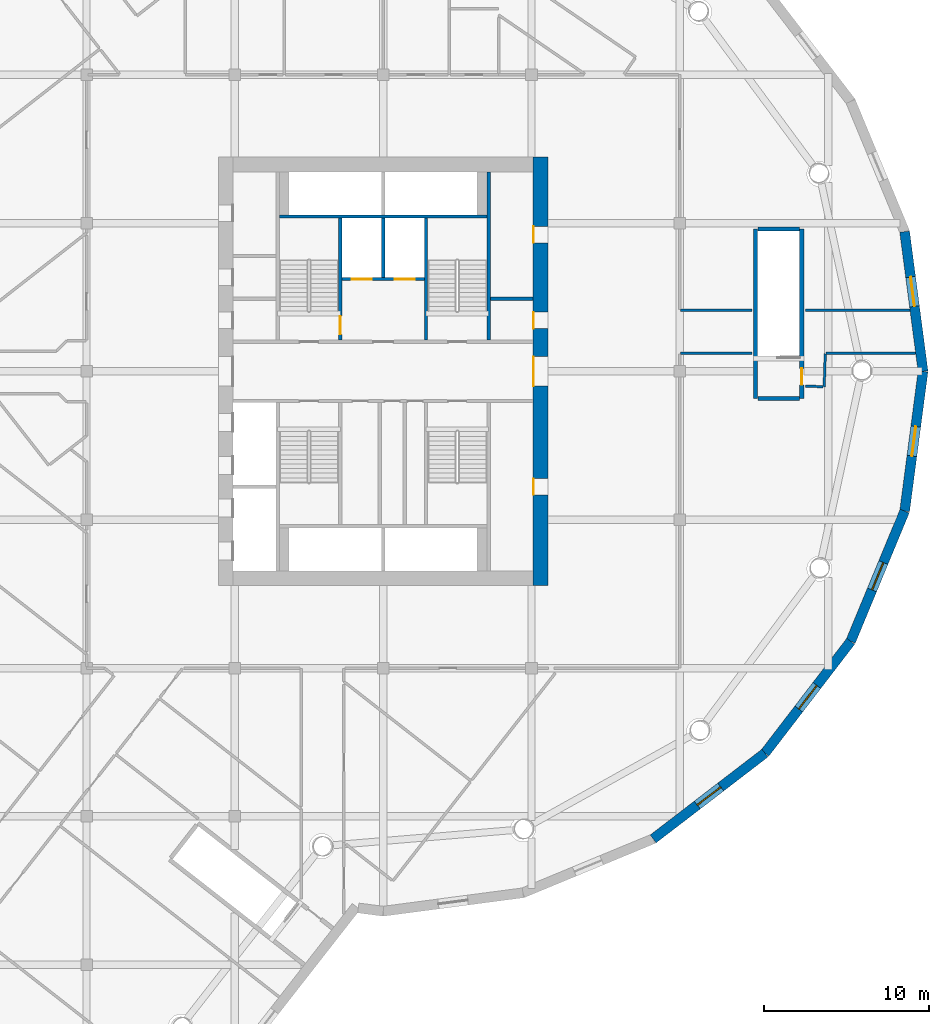
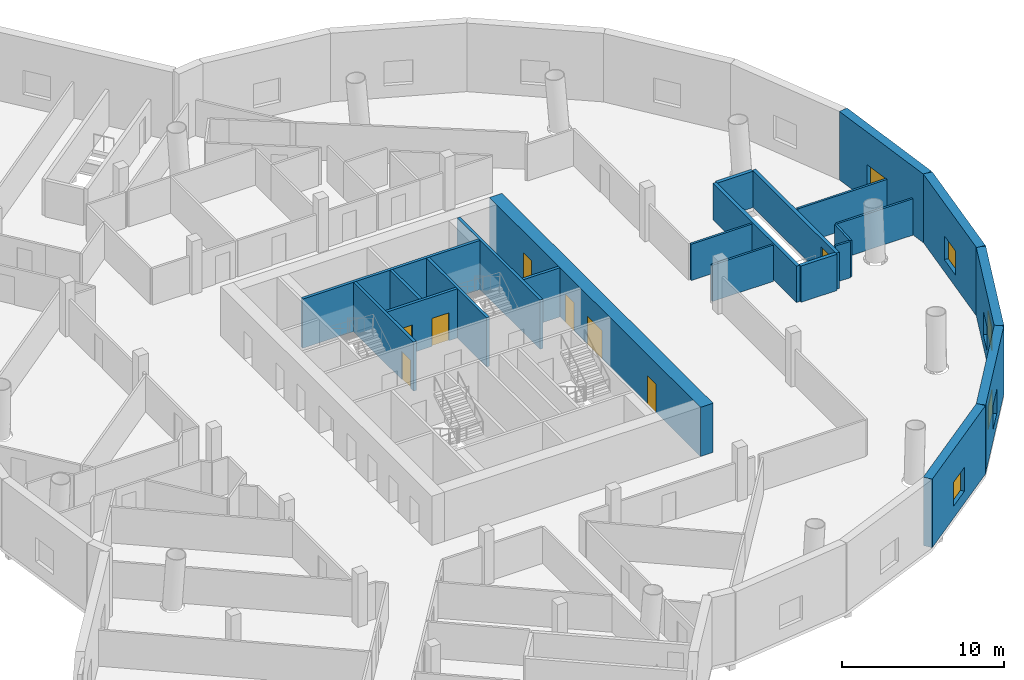
# One storey, part 8 of 15: 23 walls, 8 doors, 5 windows, 13 openings.
"""IFC4 building model written with IfcOpenShell, lengths in metres."""

from ifc_helpers import new_model, si_unit, direction, frame, frame_2d, origin, place, context, subcontext, project, spatial, rectangle, extrude, material, layer, layer_set, type_object, element, fill, save


model = new_model("IFC4")

# Units and contexts
model_context = context("Model", 3, precision=1e-05, world=origin(), true_north=direction((0.0, 1.0)))
body_context = subcontext(model_context, "Body", "Model", "MODEL_VIEW")
ifc_project = project(units=[si_unit("LENGTHUNIT", "METRE"), si_unit("AREAUNIT", "SQUARE_METRE"), si_unit("VOLUMEUNIT", "CUBIC_METRE"), si_unit("PLANEANGLEUNIT", "RADIAN"), si_unit("MASSUNIT", "GRAM", prefix="KILO")], contexts=[model_context])

# Site, building, storey
site_placement = place(None, origin())
site = spatial("IfcSite", under=ifc_project, at=site_placement, CompositionType="ELEMENT")
building_placement = place(site_placement, origin())
building = spatial("IfcBuilding", under=site, at=building_placement, Name="Tarsis Ring Headquarters", CompositionType="ELEMENT")
storey_placement = place(building_placement, frame((0.0, 0.0, 30.0)))
storey = spatial("IfcBuildingStorey", under=building, at=storey_placement, Name="L05", CompositionType="ELEMENT", Elevation=30.0)

# Wall
ifc_material_1 = material(Name="Blockwork", Category="masonry")
ifc_layer_1 = layer(ifc_material_1, 0.199951171875)
ifc_layer_set_1 = layer_set([ifc_layer_1], Name="Core blockwork wall 200")
wall_type_1 = type_object("IfcWallType", Name="Core blockwork wall 200", PredefinedType="PARTITIONING", material=ifc_layer_set_1)
wall_1_placement = place(storey_placement, frame((6.5, 4.39990234375, 0.0), z_axis=(0.0, 0.0, 1.0), x_axis=(1.0, 0.0, 0.0)))
element("IfcWall", 1, at=wall_1_placement, inside=storey, type_object=wall_type_1, Name="Core partition ED5", PredefinedType="PARTITIONING", context=body_context, shape_type="SweptSolid", body=[
    extrude(rectangle(XDim=2.60009765625, YDim=0.199951171875, at=frame_2d((1.300048828125, 0.0))), origin(), (0.0, 0.0, 1.0), 3.699951171875),
])

# Wall, openings, doors
ifc_material_2 = material(Name="Concrete C60/75", Category="concrete")
ifc_layer_2 = layer(ifc_material_2, 0.89990234375)
ifc_layer_set_2 = layer_set([ifc_layer_2], Name="Core wall 900 C60/75")
wall_type_2 = type_object("IfcWallType", Name="Core wall 900 C60/75", PredefinedType="SHEAR", material=ifc_layer_set_2)
wall_2_placement = place(storey_placement, frame((9.550048828125, -13.0, 0.0), z_axis=(0.0, 0.0, 1.0), x_axis=(0.0, 1.0, 0.0)))
wall_2 = element("IfcWall", 2, at=wall_2_placement, inside=storey, type_object=wall_type_2, Name="Core wall OE", PredefinedType="SHEAR", context=body_context, shape_type="SweptSolid", body=[
    extrude(rectangle(XDim=26.0, YDim=0.89990234375, at=frame_2d((13.0, 0.0))), origin(), (0.0, 0.0, 1.0), 3.699951171875),
])
opening_1_placement = place(wall_2_placement, frame((5.5, 0.0, 0.0)))
opening_1 = element("IfcOpeningElement", 3, at=opening_1_placement, cuts=wall_2, Name="Opening L05-C09", PredefinedType="OPENING", context=body_context, shape_type="SweptSolid", body=[
    extrude(rectangle(XDim=1.0, YDim=2.10009765625, at=frame_2d((0.5, 1.050048828125))), frame((0.0, 0.4599609375, 0.0), z_axis=(0.0, -1.0, 0.0), x_axis=(1.0, 0.0, 0.0)), (0.0, 0.0, 1.0), 0.919921875),
])
opening_2_placement = place(wall_2_placement, frame((12.10009765625, 0.0, 0.0)))
opening_2 = element("IfcOpeningElement", 4, at=opening_2_placement, cuts=wall_2, Name="Opening L05-C10", PredefinedType="OPENING", context=body_context, shape_type="SweptSolid", body=[
    extrude(rectangle(XDim=1.800048828125, YDim=2.10009765625, at=frame_2d((0.89990234375, 1.050048828125))), frame((0.0, 0.4599609375, 0.0), z_axis=(0.0, -1.0, 0.0), x_axis=(1.0, 0.0, 0.0)), (0.0, 0.0, 1.0), 0.919921875),
])
opening_3_placement = place(wall_2_placement, frame((15.60009765625, 0.0, 0.0)))
opening_3 = element("IfcOpeningElement", 5, at=opening_3_placement, cuts=wall_2, Name="Opening L05-C11", PredefinedType="OPENING", context=body_context, shape_type="SweptSolid", body=[
    extrude(rectangle(XDim=1.0, YDim=2.10009765625, at=frame_2d((0.5, 1.050048828125))), frame((0.0, 0.4599609375, 0.0), z_axis=(0.0, -1.0, 0.0), x_axis=(1.0, 0.0, 0.0)), (0.0, 0.0, 1.0), 0.919921875),
])
opening_4_placement = place(wall_2_placement, frame((20.800048828125, 0.0, 0.0)))
opening_4 = element("IfcOpeningElement", 6, at=opening_4_placement, cuts=wall_2, Name="Opening L05-C12", PredefinedType="OPENING", context=body_context, shape_type="SweptSolid", body=[
    extrude(rectangle(XDim=1.0, YDim=2.10009765625, at=frame_2d((0.5, 1.050048828125))), frame((0.0, 0.4599609375, 0.0), z_axis=(0.0, -1.0, 0.0), x_axis=(1.0, 0.0, 0.0)), (0.0, 0.0, 1.0), 0.919921875),
])
ifc_material_3 = material(Name="Steel S355", Category="steel")
door_type_1 = type_object("IfcDoorType", Name="Core entry door 1800x2100", OperationType="DOUBLE_DOOR_SINGLE_SWING", PredefinedType="DOOR", material=ifc_material_3)
door_1_placement = place(opening_2_placement, origin())
door_1 = element("IfcDoor", 7, at=door_1_placement, inside=storey, type_object=door_type_1, Name="Core entry door L05", OperationType="DOUBLE_DOOR_SINGLE_SWING", OverallHeight=2.10009765625, OverallWidth=1.800048828125, PredefinedType="DOOR", context=body_context, shape_type="SweptSolid", body=[
    extrude(rectangle(XDim=1.800048828125, YDim=2.10009765625, at=frame_2d((0.89990234375, 1.050048828125))), frame((0.0, 0.4501953125, 0.0), z_axis=(0.0, -1.0, 0.0), x_axis=(1.0, 0.0, 0.0)), (0.0, 0.0, 1.0), 0.050048828125),
])
fill(opening_2, door_1)
door_type_2 = type_object("IfcDoorType", Name="Core room door 1000x2100", OperationType="SINGLE_SWING_LEFT", PredefinedType="DOOR", material=ifc_material_3)
door_2_placement = place(opening_1_placement, origin())
door_2 = element("IfcDoor", 8, at=door_2_placement, inside=storey, type_object=door_type_2, Name="Core room door L05", OperationType="SINGLE_SWING_LEFT", OverallHeight=2.10009765625, OverallWidth=1.0, PredefinedType="DOOR", context=body_context, shape_type="SweptSolid", body=[
    extrude(rectangle(XDim=1.0, YDim=2.10009765625, at=frame_2d((0.5, 1.050048828125))), frame((0.0, 0.4501953125, 0.0), z_axis=(0.0, -1.0, 0.0), x_axis=(1.0, 0.0, 0.0)), (0.0, 0.0, 1.0), 0.050048828125),
])
fill(opening_1, door_2)
door_3_placement = place(opening_3_placement, origin())
door_3 = element("IfcDoor", 9, at=door_3_placement, inside=storey, type_object=door_type_2, Name="Core room door L05", OperationType="SINGLE_SWING_LEFT", OverallHeight=2.10009765625, OverallWidth=1.0, PredefinedType="DOOR", context=body_context, shape_type="SweptSolid", body=[
    extrude(rectangle(XDim=1.0, YDim=2.10009765625, at=frame_2d((0.5, 1.050048828125))), frame((0.0, 0.4501953125, 0.0), z_axis=(0.0, -1.0, 0.0), x_axis=(1.0, 0.0, 0.0)), (0.0, 0.0, 1.0), 0.050048828125),
])
fill(opening_3, door_3)
door_4_placement = place(opening_4_placement, origin())
door_4 = element("IfcDoor", 10, at=door_4_placement, inside=storey, type_object=door_type_2, Name="Core room door L05", OperationType="SINGLE_SWING_LEFT", OverallHeight=2.10009765625, OverallWidth=1.0, PredefinedType="DOOR", context=body_context, shape_type="SweptSolid", body=[
    extrude(rectangle(XDim=1.0, YDim=2.10009765625, at=frame_2d((0.5, 1.050048828125))), frame((0.0, 0.4501953125, 0.0), z_axis=(0.0, -1.0, 0.0), x_axis=(1.0, 0.0, 0.0)), (0.0, 0.0, 1.0), 0.050048828125),
])
fill(opening_4, door_4)

# Walls
ifc_material_4 = material(Name="Plasterboard partition")
ifc_layer_3 = layer(ifc_material_4, 0.14990234375)
ifc_layer_set_3 = layer_set([ifc_layer_3], Name="PO-PW150R-2733")
wall_type_3 = type_object("IfcWallType", Name="PO-PW150R-2733", PredefinedType="PARTITIONING", material=ifc_layer_set_3)
wall_3_placement = place(storey_placement, frame((25.625, 3.7099609375, 0.0), z_axis=(0.0, 0.0, 1.0), x_axis=(1.0, 0.0, 0.0)))
element("IfcWall", 11, at=wall_3_placement, inside=storey, type_object=wall_type_3, Name="L05 partition wall 58", PredefinedType="PARTITIONING", context=body_context, shape_type="SweptSolid", body=[
    extrude(rectangle(XDim=6.341796875, YDim=0.14990234375, at=frame_2d((3.1708984375, 0.0))), origin(), (0.0, 0.0, 1.0), 2.73291015625),
])
wall_4_placement = place(storey_placement, frame((32.30908203125, 1.110107421875, 0.0), z_axis=(0.0, 0.0, 1.0), x_axis=(-1.0, 0.0, 0.0)))
element("IfcWall", 12, at=wall_4_placement, inside=storey, type_object=wall_type_3, Name="L05 partition wall 68", PredefinedType="PARTITIONING", context=body_context, shape_type="SweptSolid", body=[
    extrude(rectangle(XDim=5.442626953125, YDim=0.14990234375, at=frame_2d((2.72119140625, 0.0))), origin(), (0.0, 0.0, 1.0), 2.73291015625),
])
for number, where, z_axis, x_axis, name in (
    (13, (18.0400390625, 3.7099609375, 0.0), (0.0, 0.0, 1.0), (1.0, 0.0, 0.0), "L05 partition wall 77"),
    (14, (22.375, 1.110107421875, 0.0), (0.0, 0.0, 1.0), (-1.0, 0.0, 0.0), "L05 partition wall 78"),
):
    element("IfcWall", number, at=place(storey_placement, frame(where, z_axis=z_axis, x_axis=x_axis)), inside=storey, type_object=wall_type_3, Name=name, PredefinedType="PARTITIONING", context=body_context, shape_type="SweptSolid", body=[
        extrude(rectangle(XDim=4.3349609375, YDim=0.14990234375, at=frame_2d((2.16748046875, 0.0))), origin(), (0.0, 0.0, 1.0), 2.73291015625),
    ])
wall_5_placement = place(storey_placement, frame((26.824462890625, 1.070068359375, 0.0), z_axis=(0.0, 0.0, 1.0), x_axis=(-0.032904986071, -0.999458484326, 0.0)))
element("IfcWall", 15, at=wall_5_placement, inside=storey, type_object=wall_type_3, Name="L05 partition wall 139", PredefinedType="PARTITIONING", context=body_context, shape_type="SweptSolid", body=[
    extrude(rectangle(XDim=2.003173828125, YDim=0.14990234375, at=frame_2d((1.00146484375, 0.0))), origin(), (0.0, 0.0, 1.0), 2.73291015625),
])
wall_6_placement = place(storey_placement, frame((26.6787109375, -0.929443359375, 0.0), z_axis=(0.0, 0.0, 1.0), x_axis=(-0.99945920656, 0.03288304155, 0.0)))
element("IfcWall", 16, at=wall_6_placement, inside=storey, type_object=wall_type_3, Name="L05 partition wall 168", PredefinedType="PARTITIONING", context=body_context, shape_type="SweptSolid", body=[
    extrude(rectangle(XDim=1.05419921875, YDim=0.14990234375, at=frame_2d((0.527099609375, 0.0))), origin(), (0.0, 0.0, 1.0), 2.73291015625),
])
ifc_material_5 = material(Name="Concrete C40/50", Category="concrete")
ifc_layer_4 = layer(ifc_material_5, 0.25)
ifc_layer_set_4 = layer_set([ifc_layer_4], Name="PO-W250")
wall_type_4 = type_object("IfcWallType", Name="PO-W250", PredefinedType="SOLIDWALL", material=ifc_layer_set_4)
wall_7_placement = place(storey_placement, frame((22.60009765625, -1.64501953125, 0.0), z_axis=(0.0, 0.0, 1.0), x_axis=(0.0, 1.0, 0.0)))
element("IfcWall", 17, at=wall_7_placement, inside=storey, type_object=wall_type_4, Name="L05 shaft wall 30", PredefinedType="SOLIDWALL", context=body_context, shape_type="SweptSolid", body=[
    extrude(rectangle(XDim=10.2900390625, YDim=0.25, at=frame_2d((5.14501953125, 0.0))), origin(), (0.0, 0.0, 1.0), 2.72998046875),
])

# Wall, opening, door
wall_8_placement = place(storey_placement, frame((25.39990234375, 8.64501953125, 0.0), z_axis=(0.0, 0.0, 1.0), x_axis=(0.0, -1.0, 0.0)))
wall_8 = element("IfcWall", 18, at=wall_8_placement, inside=storey, type_object=wall_type_4, Name="L05 shaft wall 31", PredefinedType="SOLIDWALL", context=body_context, shape_type="SweptSolid", body=[
    extrude(rectangle(XDim=10.2900390625, YDim=0.25, at=frame_2d((5.14501953125, 0.0))), origin(), (0.0, 0.0, 1.0), 2.72998046875),
])
opening_5_placement = place(wall_8_placement, frame((8.465087890625, 0.0, 0.0)))
opening_5 = element("IfcOpeningElement", 19, at=opening_5_placement, cuts=wall_8, Name="Opening PO-D3", PredefinedType="OPENING", context=body_context, shape_type="SweptSolid", body=[
    extrude(rectangle(XDim=1.0, YDim=2.10009765625, at=frame_2d((0.5, 1.050048828125))), frame((0.0, 0.135009765625, 0.0), z_axis=(0.0, -1.0, 0.0), x_axis=(1.0, 0.0, 0.0)), (0.0, 0.0, 1.0), 0.27001953125),
])
ifc_material_6 = material(Name="Steel fire door", Category="steel")
door_type_3 = type_object("IfcDoorType", Name="PO-D1000F", OperationType="SINGLE_SWING_LEFT", PredefinedType="DOOR", material=ifc_material_6)
door_5_placement = place(opening_5_placement, origin())
door_5 = element("IfcDoor", 20, at=door_5_placement, inside=storey, type_object=door_type_3, Name="Exit stair 1 door", OperationType="SINGLE_SWING_LEFT", OverallHeight=2.10009765625, OverallWidth=1.0, PredefinedType="DOOR", context=body_context, shape_type="SweptSolid", body=[
    extrude(rectangle(XDim=1.0, YDim=2.10009765625, at=frame_2d((0.5, 1.050048828125))), frame((0.0, 0.02490234375, 0.0), z_axis=(0.0, -1.0, 0.0), x_axis=(1.0, 0.0, 0.0)), (0.0, 0.0, 1.0), 0.050048828125),
])
fill(opening_5, door_5)

# Walls
for number, where, z_axis, x_axis, name in (
    (21, (25.27001953125, -1.64501953125, 0.0), (0.0, 0.0, 1.0), (-1.0, 0.0, 0.0), "L05 shaft wall 108"),
    (22, (22.72998046875, 8.64501953125, 0.0), (0.0, 0.0, 1.0), (1.0, 0.0, 0.0), "L05 shaft wall 109"),
):
    element("IfcWall", number, at=place(storey_placement, frame(where, z_axis=z_axis, x_axis=x_axis)), inside=storey, type_object=wall_type_4, Name=name, PredefinedType="SOLIDWALL", context=body_context, shape_type="SweptSolid", body=[
        extrude(rectangle(XDim=2.5400390625, YDim=0.25, at=frame_2d((1.27001953125, 0.0))), origin(), (0.0, 0.0, 1.0), 2.72998046875),
    ])

# Wall, opening, window
ifc_layer_5 = layer(ifc_material_2, 0.60009765625)
ifc_layer_set_5 = layer_set([ifc_layer_5], Name="PO-W600P")
wall_type_5 = type_object("IfcWallType", Name="PO-W600P", PredefinedType="SOLIDWALL", material=ifc_layer_set_5)
wall_9_placement = place(storey_placement, frame((16.37890625, -28.369140625, 0.0), z_axis=(0.0, 0.0, 1.0), x_axis=(0.793356782778, 0.608756942646, 0.0)))
wall_9 = element("IfcWall", 23, at=wall_9_placement, inside=storey, type_object=wall_type_5, Name="L05 external wall 12", PredefinedType="SOLIDWALL", context=body_context, shape_type="SweptSolid", body=[
    extrude(rectangle(XDim=8.551513671875, YDim=0.60009765625, at=frame_2d((4.27587890625, 0.0))), origin(), (0.0, 0.0, 1.0), 5.14990234375),
])
opening_6_placement = place(wall_9_placement, frame((3.375732421875, 0.0, 0.89990234375)))
opening_6 = element("IfcOpeningElement", 24, at=opening_6_placement, cuts=wall_9, Name="Opening PO-WN147", PredefinedType="OPENING", context=body_context, shape_type="SweptSolid", body=[
    extrude(rectangle(XDim=1.800048828125, YDim=1.802978515625, at=frame_2d((0.89990234375, 0.9013671875))), frame((0.0, 0.31005859375, 0.0), z_axis=(0.0, -1.0, 0.0), x_axis=(1.0, 0.0, 0.0)), (0.0, 0.0, 1.0), 0.6201171875),
])
ifc_material_7 = material(Name="Double glazing", Category="glass")
window_type = type_object("IfcWindowType", Name="PO-WN1800-1803", PartitioningType="SINGLE_PANEL", PredefinedType="WINDOW", material=ifc_material_7)
window_1_placement = place(opening_6_placement, origin())
window_1 = element("IfcWindow", 25, at=window_1_placement, inside=storey, type_object=window_type, Name="L05 window 12.1", OverallHeight=1.802978515625, OverallWidth=1.800048828125, PartitioningType="SINGLE_PANEL", PredefinedType="WINDOW", context=body_context, shape_type="SweptSolid", body=[
    extrude(rectangle(XDim=1.800048828125, YDim=1.802978515625, at=frame_2d((0.89990234375, 0.9013671875))), frame((0.0, 0.030029296875, 0.0), z_axis=(0.0, -1.0, 0.0), x_axis=(1.0, 0.0, 0.0)), (0.0, 0.0, 1.0), 0.06005859375),
])
fill(opening_6, window_1)

wall_10_placement = place(storey_placement, frame((23.163330078125, -23.163330078125, 0.0), z_axis=(0.0, 0.0, 1.0), x_axis=(0.608756942646, 0.793356782778, 0.0)))
wall_10 = element("IfcWall", 26, at=wall_10_placement, inside=storey, type_object=wall_type_5, Name="L05 external wall 13", PredefinedType="SOLIDWALL", context=body_context, shape_type="SweptSolid", body=[
    extrude(rectangle(XDim=8.551513671875, YDim=0.60009765625, at=frame_2d((4.27587890625, 0.0))), origin(), (0.0, 0.0, 1.0), 5.14990234375),
])
opening_7_placement = place(wall_10_placement, frame((3.375732421875, 0.0, 0.89990234375)))
opening_7 = element("IfcOpeningElement", 27, at=opening_7_placement, cuts=wall_10, Name="Opening PO-WN147", PredefinedType="OPENING", context=body_context, shape_type="SweptSolid", body=[
    extrude(rectangle(XDim=1.800048828125, YDim=1.802978515625, at=frame_2d((0.89990234375, 0.9013671875))), frame((0.0, 0.31005859375, 0.0), z_axis=(0.0, -1.0, 0.0), x_axis=(1.0, 0.0, 0.0)), (0.0, 0.0, 1.0), 0.6201171875),
])
window_2_placement = place(opening_7_placement, origin())
window_2 = element("IfcWindow", 28, at=window_2_placement, inside=storey, type_object=window_type, Name="L05 window 13.1", OverallHeight=1.802978515625, OverallWidth=1.800048828125, PartitioningType="SINGLE_PANEL", PredefinedType="WINDOW", context=body_context, shape_type="SweptSolid", body=[
    extrude(rectangle(XDim=1.800048828125, YDim=1.802978515625, at=frame_2d((0.89990234375, 0.9013671875))), frame((0.0, 0.030029296875, 0.0), z_axis=(0.0, -1.0, 0.0), x_axis=(1.0, 0.0, 0.0)), (0.0, 0.0, 1.0), 0.06005859375),
])
fill(opening_7, window_2)

wall_11_placement = place(storey_placement, frame((28.369140625, -16.37890625, 0.0), z_axis=(0.0, 0.0, 1.0), x_axis=(0.382674535665, 0.923883217595, 0.0)))
wall_11 = element("IfcWall", 29, at=wall_11_placement, inside=storey, type_object=wall_type_5, Name="L05 external wall 14", PredefinedType="SOLIDWALL", context=body_context, shape_type="SweptSolid", body=[
    extrude(rectangle(XDim=8.551513671875, YDim=0.60009765625, at=frame_2d((4.27587890625, 0.0))), origin(), (0.0, 0.0, 1.0), 5.14990234375),
])
opening_8_placement = place(wall_11_placement, frame((3.375732421875, 0.0, 0.89990234375)))
opening_8 = element("IfcOpeningElement", 30, at=opening_8_placement, cuts=wall_11, Name="Opening PO-WN147", PredefinedType="OPENING", context=body_context, shape_type="SweptSolid", body=[
    extrude(rectangle(XDim=1.800048828125, YDim=1.802978515625, at=frame_2d((0.89990234375, 0.9013671875))), frame((0.0, 0.31005859375, 0.0), z_axis=(0.0, -1.0, 0.0), x_axis=(1.0, 0.0, 0.0)), (0.0, 0.0, 1.0), 0.6201171875),
])
window_3_placement = place(opening_8_placement, origin())
window_3 = element("IfcWindow", 31, at=window_3_placement, inside=storey, type_object=window_type, Name="L05 window 14.1", OverallHeight=1.802978515625, OverallWidth=1.800048828125, PartitioningType="SINGLE_PANEL", PredefinedType="WINDOW", context=body_context, shape_type="SweptSolid", body=[
    extrude(rectangle(XDim=1.800048828125, YDim=1.802978515625, at=frame_2d((0.89990234375, 0.9013671875))), frame((0.0, 0.030029296875, 0.0), z_axis=(0.0, -1.0, 0.0), x_axis=(1.0, 0.0, 0.0)), (0.0, 0.0, 1.0), 0.06005859375),
])
fill(opening_8, window_3)

wall_12_placement = place(storey_placement, frame((31.6416015625, -8.478271484375, 0.0), z_axis=(0.0, 0.0, 1.0), x_axis=(0.130529102837, 0.991444478179, 0.0)))
wall_12 = element("IfcWall", 32, at=wall_12_placement, inside=storey, type_object=wall_type_5, Name="L05 external wall 15", PredefinedType="SOLIDWALL", context=body_context, shape_type="SweptSolid", body=[
    extrude(rectangle(XDim=8.551513671875, YDim=0.60009765625, at=frame_2d((4.27587890625, 0.0))), origin(), (0.0, 0.0, 1.0), 5.14990234375),
])
opening_9_placement = place(wall_12_placement, frame((3.375732421875, 0.0, 0.89990234375)))
opening_9 = element("IfcOpeningElement", 33, at=opening_9_placement, cuts=wall_12, Name="Opening PO-WN147", PredefinedType="OPENING", context=body_context, shape_type="SweptSolid", body=[
    extrude(rectangle(XDim=1.800048828125, YDim=1.802978515625, at=frame_2d((0.89990234375, 0.9013671875))), frame((0.0, 0.31005859375, 0.0), z_axis=(0.0, -1.0, 0.0), x_axis=(1.0, 0.0, 0.0)), (0.0, 0.0, 1.0), 0.6201171875),
])
window_4_placement = place(opening_9_placement, origin())
window_4 = element("IfcWindow", 34, at=window_4_placement, inside=storey, type_object=window_type, Name="L05 window 15.1", OverallHeight=1.802978515625, OverallWidth=1.800048828125, PartitioningType="SINGLE_PANEL", PredefinedType="WINDOW", context=body_context, shape_type="SweptSolid", body=[
    extrude(rectangle(XDim=1.800048828125, YDim=1.802978515625, at=frame_2d((0.89990234375, 0.9013671875))), frame((0.0, 0.030029296875, 0.0), z_axis=(0.0, -1.0, 0.0), x_axis=(1.0, 0.0, 0.0)), (0.0, 0.0, 1.0), 0.06005859375),
])
fill(opening_9, window_4)

wall_13_placement = place(storey_placement, frame((32.7578125, 0.0, 0.0), z_axis=(0.0, 0.0, 1.0), x_axis=(-0.130529102837, 0.991444478179, 0.0)))
wall_13 = element("IfcWall", 35, at=wall_13_placement, inside=storey, type_object=wall_type_5, Name="L05 external wall 16", PredefinedType="SOLIDWALL", context=body_context, shape_type="SweptSolid", body=[
    extrude(rectangle(XDim=8.551513671875, YDim=0.60009765625, at=frame_2d((4.27587890625, 0.0))), origin(), (0.0, 0.0, 1.0), 5.14990234375),
])
opening_10_placement = place(wall_13_placement, frame((3.975830078125, 0.0, 0.89990234375)))
opening_10 = element("IfcOpeningElement", 36, at=opening_10_placement, cuts=wall_13, Name="Opening PO-WN147", PredefinedType="OPENING", context=body_context, shape_type="SweptSolid", body=[
    extrude(rectangle(XDim=1.800048828125, YDim=1.802978515625, at=frame_2d((0.89990234375, 0.9013671875))), frame((0.0, 0.31005859375, 0.0), z_axis=(0.0, -1.0, 0.0), x_axis=(1.0, 0.0, 0.0)), (0.0, 0.0, 1.0), 0.6201171875),
])
window_5_placement = place(opening_10_placement, origin())
window_5 = element("IfcWindow", 37, at=window_5_placement, inside=storey, type_object=window_type, Name="L05 window 16.1", OverallHeight=1.802978515625, OverallWidth=1.800048828125, PartitioningType="SINGLE_PANEL", PredefinedType="WINDOW", context=body_context, shape_type="SweptSolid", body=[
    extrude(rectangle(XDim=1.800048828125, YDim=1.802978515625, at=frame_2d((0.89990234375, 0.9013671875))), frame((0.0, 0.030029296875, 0.0), z_axis=(0.0, -1.0, 0.0), x_axis=(1.0, 0.0, 0.0)), (0.0, 0.0, 1.0), 0.06005859375),
])
fill(opening_10, window_5)

# Walls
ifc_material_8 = material(Name="Concrete C32/40", Category="concrete")
ifc_layer_6 = layer(ifc_material_8, 0.199951171875)
ifc_layer_set_6 = layer_set([ifc_layer_6], Name="Shaft wall 200 C32/40")
wall_type_6 = type_object("IfcWallType", Name="Shaft wall 200 C32/40", PredefinedType="SOLIDWALL", material=ifc_layer_set_6)
wall_14_placement = place(storey_placement, frame((6.39990234375, 1.89990234375, 0.0), z_axis=(0.0, 0.0, 1.0), x_axis=(0.0, 1.0, 0.0)))
element("IfcWall", 38, at=wall_14_placement, inside=storey, type_object=wall_type_6, Name="Core shaft wall EB2", PredefinedType="SOLIDWALL", context=body_context, shape_type="SweptSolid", body=[
    extrude(rectangle(XDim=10.2001953125, YDim=0.199951171875, at=frame_2d((5.10009765625, 0.0))), origin(), (0.0, 0.0, 1.0), 3.699951171875),
])
wall_15_placement = place(storey_placement, frame((-6.300048828125, 9.39990234375, 0.0), z_axis=(0.0, 0.0, 1.0), x_axis=(1.0, 0.0, 0.0)))
element("IfcWall", 39, at=wall_15_placement, inside=storey, type_object=wall_type_6, Name="Core shaft wall NB", PredefinedType="SOLIDWALL", context=body_context, shape_type="SweptSolid", body=[
    extrude(rectangle(XDim=12.60009765625, YDim=0.199951171875, at=frame_2d((6.300048828125, 0.0))), origin(), (0.0, 0.0, 1.0), 3.699951171875),
])

# Wall, opening, door
wall_16_placement = place(storey_placement, frame((-2.60009765625, 1.89990234375, 0.0), z_axis=(0.0, 0.0, 1.0), x_axis=(0.0, 1.0, 0.0)))
wall_16 = element("IfcWall", 40, at=wall_16_placement, inside=storey, type_object=wall_type_6, Name="Core shaft wall SW1", PredefinedType="SOLIDWALL", context=body_context, shape_type="SweptSolid", body=[
    extrude(rectangle(XDim=7.400146484375, YDim=0.199951171875, at=frame_2d((3.7001953125, 0.0))), origin(), (0.0, 0.0, 1.0), 3.699951171875),
])
opening_11_placement = place(wall_16_placement, frame((0.35009765625, 0.0, 0.0)))
opening_11 = element("IfcOpeningElement", 41, at=opening_11_placement, cuts=wall_16, Name="Opening L05-C21", PredefinedType="OPENING", context=body_context, shape_type="SweptSolid", body=[
    extrude(rectangle(XDim=1.10009765625, YDim=2.10009765625, at=frame_2d((0.550048828125, 1.050048828125))), frame((0.0, 0.10986328125, 0.0), z_axis=(0.0, -1.0, 0.0), x_axis=(1.0, 0.0, 0.0)), (0.0, 0.0, 1.0), 0.219970703125),
])
door_type_4 = type_object("IfcDoorType", Name="Stair door 1100x2100", OperationType="SINGLE_SWING_LEFT", PredefinedType="DOOR", material=ifc_material_3)
door_6_placement = place(opening_11_placement, origin())
door_6 = element("IfcDoor", 42, at=door_6_placement, inside=storey, type_object=door_type_4, Name="Stair door L05", OperationType="SINGLE_SWING_LEFT", OverallHeight=2.10009765625, OverallWidth=1.10009765625, PredefinedType="DOOR", context=body_context, shape_type="SweptSolid", body=[
    extrude(rectangle(XDim=1.10009765625, YDim=2.10009765625, at=frame_2d((0.550048828125, 1.050048828125))), frame((0.0, 0.02490234375, 0.0), z_axis=(0.0, -1.0, 0.0), x_axis=(1.0, 0.0, 0.0)), (0.0, 0.0, 1.0), 0.050048828125),
])
fill(opening_11, door_6)

# Wall
wall_17_placement = place(storey_placement, frame((2.60009765625, 1.89990234375, 0.0), z_axis=(0.0, 0.0, 1.0), x_axis=(0.0, 1.0, 0.0)))
element("IfcWall", 43, at=wall_17_placement, inside=storey, type_object=wall_type_6, Name="Core shaft wall SW2", PredefinedType="SOLIDWALL", context=body_context, shape_type="SweptSolid", body=[
    extrude(rectangle(XDim=7.400146484375, YDim=0.199951171875, at=frame_2d((3.7001953125, 0.0))), origin(), (0.0, 0.0, 1.0), 3.699951171875),
])

# Wall, openings, doors
wall_18_placement = place(storey_placement, frame((-2.5, 5.60009765625, 0.0), z_axis=(0.0, 0.0, 1.0), x_axis=(1.0, 0.0, 0.0)))
wall_18 = element("IfcWall", 44, at=wall_18_placement, inside=storey, type_object=wall_type_6, Name="Core shaft wall FFN", PredefinedType="SOLIDWALL", context=body_context, shape_type="SweptSolid", body=[
    extrude(rectangle(XDim=5.0, YDim=0.199951171875, at=frame_2d((2.5, 0.0))), origin(), (0.0, 0.0, 1.0), 3.699951171875),
])
opening_12_placement = place(wall_18_placement, frame((0.60009765625, 0.0, 0.0)))
opening_12 = element("IfcOpeningElement", 45, at=opening_12_placement, cuts=wall_18, Name="Opening LDF-1", PredefinedType="OPENING", context=body_context, shape_type="SweptSolid", body=[
    extrude(rectangle(XDim=1.199951171875, YDim=2.10009765625, at=frame_2d((0.60009765625, 1.050048828125))), frame((0.0, 0.10986328125, 0.0), z_axis=(0.0, -1.0, 0.0), x_axis=(1.0, 0.0, 0.0)), (0.0, 0.0, 1.0), 0.219970703125),
])
opening_13_placement = place(wall_18_placement, frame((3.199951171875, 0.0, 0.0)))
opening_13 = element("IfcOpeningElement", 46, at=opening_13_placement, cuts=wall_18, Name="Opening LDF-2", PredefinedType="OPENING", context=body_context, shape_type="SweptSolid", body=[
    extrude(rectangle(XDim=1.199951171875, YDim=2.10009765625, at=frame_2d((0.60009765625, 1.050048828125))), frame((0.0, 0.10986328125, 0.0), z_axis=(0.0, -1.0, 0.0), x_axis=(1.0, 0.0, 0.0)), (0.0, 0.0, 1.0), 0.219970703125),
])
door_type_5 = type_object("IfcDoorType", Name="Firefighting landing door 1200x2100", OperationType="SLIDING_TO_LEFT", PredefinedType="DOOR", material=ifc_material_3)
door_7_placement = place(opening_12_placement, origin())
door_7 = element("IfcDoor", 47, at=door_7_placement, inside=storey, type_object=door_type_5, Name="Landing door FF1 L05", OperationType="SLIDING_TO_LEFT", OverallHeight=2.10009765625, OverallWidth=1.199951171875, PredefinedType="DOOR", context=body_context, shape_type="SweptSolid", body=[
    extrude(rectangle(XDim=1.199951171875, YDim=2.10009765625, at=frame_2d((0.60009765625, 1.050048828125))), frame((0.0, 0.02490234375, 0.0), z_axis=(0.0, -1.0, 0.0), x_axis=(1.0, 0.0, 0.0)), (0.0, 0.0, 1.0), 0.050048828125),
])
fill(opening_12, door_7)
door_8_placement = place(opening_13_placement, origin())
door_8 = element("IfcDoor", 48, at=door_8_placement, inside=storey, type_object=door_type_5, Name="Landing door FF2 L05", OperationType="SLIDING_TO_LEFT", OverallHeight=2.10009765625, OverallWidth=1.199951171875, PredefinedType="DOOR", context=body_context, shape_type="SweptSolid", body=[
    extrude(rectangle(XDim=1.199951171875, YDim=2.10009765625, at=frame_2d((0.60009765625, 1.050048828125))), frame((0.0, 0.02490234375, 0.0), z_axis=(0.0, -1.0, 0.0), x_axis=(1.0, 0.0, 0.0)), (0.0, 0.0, 1.0), 0.050048828125),
])
fill(opening_13, door_8)

# Wall
wall_19_placement = place(storey_placement, frame((0.0, 5.699951171875, 0.0), z_axis=(0.0, 0.0, 1.0), x_axis=(0.0, 1.0, 0.0)))
element("IfcWall", 49, at=wall_19_placement, inside=storey, type_object=wall_type_6, Name="Core shaft wall FFD", PredefinedType="SOLIDWALL", context=body_context, shape_type="SweptSolid", body=[
    extrude(rectangle(XDim=3.60009765625, YDim=0.199951171875, at=frame_2d((1.800048828125, 0.0))), origin(), (0.0, 0.0, 1.0), 3.699951171875),
])

save(model, "model.ifc")
